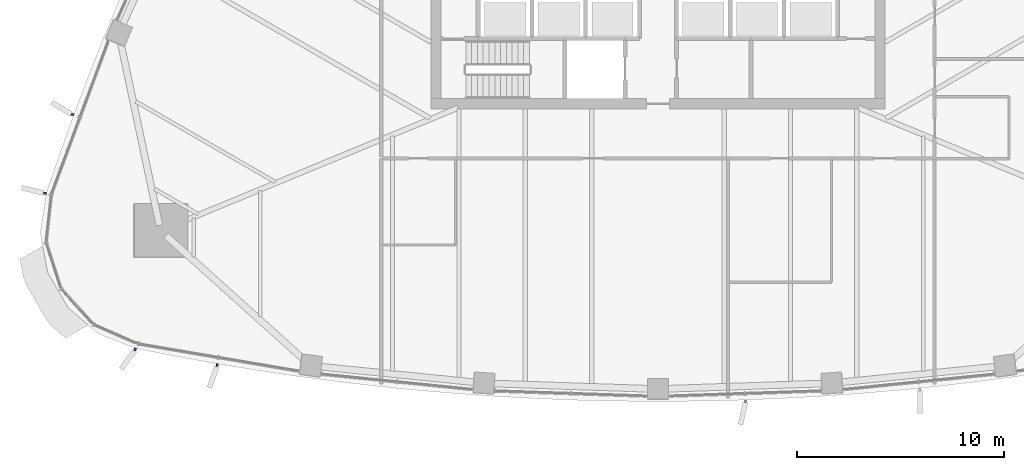
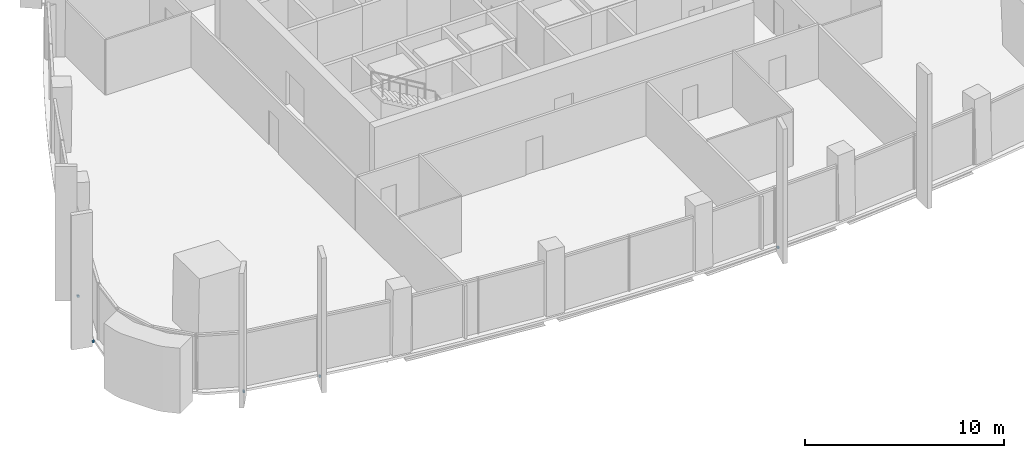
# One storey, part 13 of 20: 5 discrete accessories.
"""IFC4 building model written with IfcOpenShell, lengths in metres."""

import ifcopenshell
import ifcopenshell.guid

model = None  # the IFC model being written
_history = None  # IfcOwnerHistory: only IFC2X3 demands one
_inside = {}  # id of a spatial element -> (the spatial element, [elements in it])
_under = {}  # id of a project, library or spatial element -> (it, [spatial elements below it])
_declared = {}  # id of a project -> (the project, [libraries it declares])
_typed = {}  # id of a type object -> (the type object, [elements of that type])
_made_of = {}  # id of a material, layer set ... -> (it, [elements and type objects made of it])


def new_model(schema):
    """Start an empty IFC model of exactly this schema.

    Asked for "IFC4X3", IfcOpenShell would pick the latest addendum, in which some entities
    have other attributes; the version numbers below select the first issue.
    IFC2X3 requires an IfcOwnerHistory on every rooted entity: one is made here for all.
    """
    global model, _history
    if schema == "IFC4X3":
        model = ifcopenshell.file(schema_version=(4, 3, 0, 0))
    else:
        model = ifcopenshell.file(schema=schema)
    _inside.clear()
    _under.clear()
    _declared.clear()
    _typed.clear()
    _made_of.clear()
    _history = None
    if model.schema == "IFC2X3":
        org = make("IfcOrganization", Name="unknown")
        user = make(
            "IfcPersonAndOrganization",
            ThePerson=make("IfcPerson", FamilyName="unknown"),
            TheOrganization=org,
        )
        app = make(
            "IfcApplication",
            ApplicationDeveloper=org,
            Version="unknown",
            ApplicationFullName="unknown",
            ApplicationIdentifier="unknown",
        )
        _history = make(
            "IfcOwnerHistory",
            OwningUser=user,
            OwningApplication=app,
            ChangeAction="ADDED",
            CreationDate=0,
        )
    return model


def make(cls, **values):
    """One entity of the class cls with the attributes given. An attribute that is None is left unset."""
    return model.create_entity(
        cls, **{name: value for name, value in values.items() if value is not None}
    )


def rooted(cls, **values):
    """An entity with a GlobalId (a new one), such as an element, a storey or a relation."""
    return make(cls, GlobalId=ifcopenshell.guid.new(), OwnerHistory=_history, **values)


def si_unit(unit_type, name, prefix=None):
    """IfcSIUnit, for example si_unit("LENGTHUNIT", "METRE", prefix="MILLI")."""
    return make("IfcSIUnit", UnitType=unit_type, Prefix=prefix, Name=name)


def assignment(units):
    """IfcUnitAssignment: the units of a project."""
    return None if units is None else make("IfcUnitAssignment", Units=units)


def point(xyz):
    """IfcCartesianPoint."""
    return None if xyz is None else make("IfcCartesianPoint", Coordinates=xyz)


def direction(xyz):
    """IfcDirection."""
    return None if xyz is None else make("IfcDirection", DirectionRatios=xyz)


def frame(location, z_axis=None, x_axis=None):
    """IfcAxis2Placement3D, a coordinate frame: its origin and axes. An axis left out is left unset."""
    return make(
        "IfcAxis2Placement3D",
        Location=point(location),
        Axis=direction(z_axis),
        RefDirection=direction(x_axis),
    )


def frame_2d(location, x_axis=None):
    """IfcAxis2Placement2D, a coordinate frame in the plane: its origin and x axis."""
    return make(
        "IfcAxis2Placement2D", Location=point(location), RefDirection=direction(x_axis)
    )


def origin():
    """The frame at (0, 0, 0) with its axes left unset."""
    return frame((0.0, 0.0, 0.0))


def origin_2d():
    """The frame at (0, 0) in the plane with its x axis left unset."""
    return frame_2d((0.0, 0.0))


def place(relative_to, where):
    """IfcLocalPlacement: puts the frame where relative to a parent placement (None: the world)."""
    return make(
        "IfcLocalPlacement", PlacementRelTo=relative_to, RelativePlacement=where
    )


def context(
    kind, dimensions, precision=None, world=None, true_north=None, identifier=None
):
    """IfcGeometricRepresentationContext, for example the 3D "Model" context."""
    return make(
        "IfcGeometricRepresentationContext",
        ContextIdentifier=identifier,
        ContextType=kind,
        CoordinateSpaceDimension=dimensions,
        Precision=precision,
        WorldCoordinateSystem=world,
        TrueNorth=true_north,
    )


def subcontext(parent, identifier, kind, view, scale=None):
    """IfcGeometricRepresentationSubContext, for example "Body" below "Model"."""
    return make(
        "IfcGeometricRepresentationSubContext",
        ContextIdentifier=identifier,
        ContextType=kind,
        ParentContext=parent,
        TargetScale=scale,
        TargetView=view,
    )


def project(units=None, contexts=None):
    """IfcProject with its units and contexts."""
    return rooted(
        "IfcProject",
        Name="project",
        RepresentationContexts=contexts,
        UnitsInContext=assignment(units),
    )


def spatial(cls, under=None, at=None, **own):
    """A site, building, storey or space (cls), placed at a placement, below another one or the project."""
    s = rooted(cls, ObjectPlacement=at, **own)
    if under is not None:
        _under.setdefault(under.id(), (under, []))[1].append(s)
    return s


def profile(cls, at=None, kind="AREA", **sizes):
    """A parametric profile (cls). Its sizes go by their IFC names, for example OverallWidth=200.0."""
    return make(cls, ProfileType=kind, Position=at, **sizes)


def rectangle(**sizes):
    """IfcRectangleProfileDef."""
    return profile("IfcRectangleProfileDef", **sizes)


def extrude(swept, where, along, depth):
    """IfcExtrudedAreaSolid: the profile swept, set in the frame where, extruded along a direction by depth."""
    return make(
        "IfcExtrudedAreaSolid",
        SweptArea=swept,
        Position=where,
        ExtrudedDirection=direction(along),
        Depth=depth,
    )


def shape(context_of_items, identifier, shape_type, items):
    """IfcShapeRepresentation: the items that make up one representation, for example the "Body"."""
    return make(
        "IfcShapeRepresentation",
        ContextOfItems=context_of_items,
        RepresentationIdentifier=identifier,
        RepresentationType=shape_type,
        Items=items,
    )


def material(Name=None, Category=None):
    """IfcMaterial."""
    return make("IfcMaterial", Name=Name, Category=Category)


def made_of(thing, what):
    """Note that an element or type object is made of a material, layer set ...; save() writes the relation."""
    if what is not None:
        _made_of.setdefault(what.id(), (what, []))[1].append(thing)
    return thing


def type_object(cls, material=None, **own):
    """A type object (cls), such as IfcWallType, which elements share."""
    return made_of(rooted(cls, **own), material)


def element(
    cls,
    number,
    at=None,
    inside=None,
    cuts=None,
    type_object=None,
    material=None,
    context=None,
    identifier="Body",
    shape_type=None,
    held_by="IfcProductDefinitionShape",
    body=None,
    shapes=None,
    **own,
):
    """One element of the class cls, such as IfcWall. Its Tag is "e" and its number.

    at: its placement. inside: the storey or other place that contains it. cuts: it is an
    opening in that element (IfcRelVoidsElement). A single representation is given by context,
    identifier, shape_type and body (its items); several are given by shapes. held_by: the class
    of the entity that holds the representations. save() writes the other relations.
    """
    e = rooted(cls, Tag="e%d" % number, ObjectPlacement=at, **own)
    if body is not None:
        shapes = [shape(context, identifier, shape_type, body)]
    if shapes is not None:
        e.Representation = make(held_by, Representations=shapes)
    if inside is not None:
        _inside.setdefault(inside.id(), (inside, []))[1].append(e)
    if cuts is not None:
        rooted(
            "IfcRelVoidsElement", RelatingBuildingElement=cuts, RelatedOpeningElement=e
        )
    if type_object is not None:
        _typed.setdefault(type_object.id(), (type_object, []))[1].append(e)
    return made_of(e, material)


def aggregate(whole, parts):
    """IfcRelAggregates: a whole, such as a stair, and the parts it consists of."""
    return rooted("IfcRelAggregates", RelatingObject=whole, RelatedObjects=parts)


def save(model, path):
    """Write the relations noted so far, then the file.

    IfcRelAggregates (storeys below a building ...), IfcRelContainedInSpatialStructure (elements
    in a storey), IfcRelDefinesByType, IfcRelAssociatesMaterial and IfcRelDeclares: one each for
    every whole, place, type object, material and project.
    """
    for whole, parts in _under.values():
        aggregate(whole, parts)
    for where, things in _inside.values():
        rooted(
            "IfcRelContainedInSpatialStructure",
            RelatedElements=things,
            RelatingStructure=where,
        )
    for kind, things in _typed.values():
        rooted("IfcRelDefinesByType", RelatedObjects=things, RelatingType=kind)
    for what, things in _made_of.values():
        rooted("IfcRelAssociatesMaterial", RelatedObjects=things, RelatingMaterial=what)
    for by, libraries in _declared.values():
        rooted("IfcRelDeclares", RelatingContext=by, RelatedDefinitions=libraries)
    model.write(path)


model = new_model("IFC4")

# Units and contexts
model_context = context("Model", 3, precision=1e-05, world=origin(), true_north=direction((0.0, 1.0)))
body_context = subcontext(model_context, "Body", "Model", "MODEL_VIEW")
ifc_project = project(units=[si_unit("LENGTHUNIT", "METRE"), si_unit("AREAUNIT", "SQUARE_METRE"), si_unit("VOLUMEUNIT", "CUBIC_METRE"), si_unit("PLANEANGLEUNIT", "RADIAN"), si_unit("MASSUNIT", "GRAM", prefix="KILO")], contexts=[model_context])

# Site, building, storey
site_placement = place(None, origin())
site = spatial("IfcSite", under=ifc_project, at=site_placement, CompositionType="ELEMENT")
building_placement = place(site_placement, origin())
building = spatial("IfcBuilding", under=site, at=building_placement, Name="Sierra Prisma Convention Tower", CompositionType="ELEMENT")
storey_placement = place(building_placement, frame((0.0, 0.0, 161.800048828125)))
storey = spatial("IfcBuildingStorey", under=building, at=storey_placement, Name="L35", CompositionType="ELEMENT", Elevation=161.800048828125)

# Discrete accessories
ifc_material = material(Name="Stainless steel 316", Category="steel")
discrete_accessory_type = type_object("IfcDiscreteAccessoryType", Name="Fin bracket", PredefinedType="BRACKET", material=ifc_material)
for number, where, z_axis, x_axis, name in (
    (1, (-25.314208984375, -19.655517578125, -0.135009765625), (0.0, 0.0, 1.0), (-0.362592023813, -0.93194797294, 0.0), "Fin bracket L35.1 base"),
    (2, (-21.3427734375, -20.411865234375, -0.135009765625), (0.0, 0.0, 1.0), (-0.16243912129, -0.986718567716, 0.0), "Fin bracket L35.2 base"),
    (3, (4.234375, -22.160888671875, -0.135009765625), (0.0, 0.0, 1.0), (0.038838349537, -0.999245506673, 0.0), "Fin bracket L35.11 base"),
    (4, (-28.3486328125, -8.27734375, -0.135009765625), (0.0, 0.0, 1.0), (-0.935742906672, 0.352682878253, 0.0), "Fin bracket L35.59 base"),
    (5, (-29.67919921875, -12.094970703125, -0.135009765625), (0.0, 0.0, 1.0), (-0.988386631478, 0.151960082639, 0.0), "Fin bracket L35.60 base"),
):
    element("IfcDiscreteAccessory", number, at=place(storey_placement, frame(where, z_axis=z_axis, x_axis=x_axis)), inside=storey, type_object=discrete_accessory_type, Name=name, PredefinedType="BRACKET", context=body_context, shape_type="SweptSolid", body=[
        extrude(rectangle(XDim=0.1201171875, YDim=0.10009765625, at=origin_2d()), origin(), (0.0, 0.0, 1.0), 0.1201171875),
    ])

save(model, "model.ifc")
